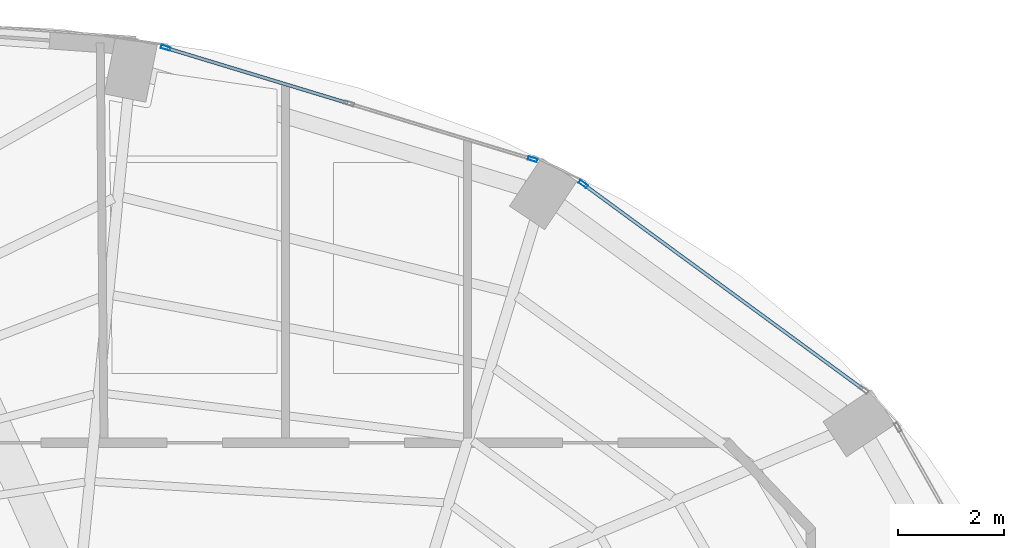
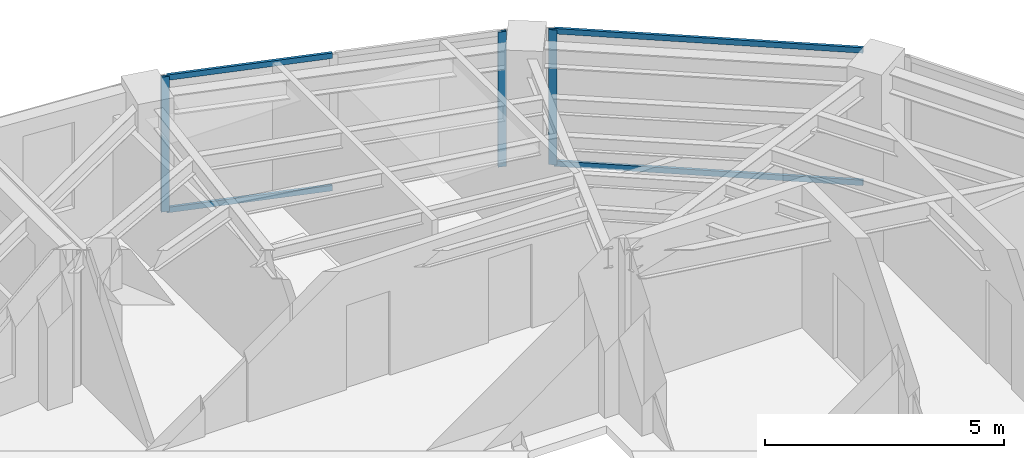
# One storey, part 16 of 22: 7 members, 2 elements without a shape of their own.
"""IFC4 building model written with IfcOpenShell, lengths in metres."""

from ifc_helpers import new_model, si_unit, direction, frame, origin, origin_2d, place, context, subcontext, project, spatial, hollow_rectangle, extrude, material, layer, layer_set, material_profile, profile_set, type_object, element, aggregate, save


model = new_model("IFC4")

# Units and contexts
model_context = context("Model", 3, precision=1e-05, world=origin(), true_north=direction((0.0, 1.0)))
body_context = subcontext(model_context, "Body", "Model", "MODEL_VIEW")
ifc_project = project(units=[si_unit("LENGTHUNIT", "METRE"), si_unit("AREAUNIT", "SQUARE_METRE"), si_unit("VOLUMEUNIT", "CUBIC_METRE"), si_unit("PLANEANGLEUNIT", "RADIAN"), si_unit("MASSUNIT", "GRAM", prefix="KILO")], contexts=[model_context])

# Site, building, storey
site_placement = place(None, origin())
site = spatial("IfcSite", under=ifc_project, at=site_placement, CompositionType="ELEMENT")
building_placement = place(site_placement, origin())
building = spatial("IfcBuilding", under=site, at=building_placement, Name="Lazwardi Medical Tower", CompositionType="ELEMENT")
storey_placement = place(building_placement, frame((0.0, 0.0, 224.01611328125)))
storey = spatial("IfcBuildingStorey", under=building, at=storey_placement, Name="L58", CompositionType="ELEMENT", Elevation=224.01611328125)

# Curtain wall, member
ifc_material_1 = material(Name="Anodised bronze aluminium and solar control glazing", Category="aluminium")
ifc_layer = layer(ifc_material_1, 0.18994140625)
ifc_layer_set = layer_set([ifc_layer], Name="Anodised bronze aluminium and solar control glazing")
curtain_wall_type = type_object("IfcCurtainWallType", Name="CW-SYS-04", PredefinedType="NOTDEFINED", material=ifc_layer_set)
curtain_wall_1_placement = place(storey_placement, origin())
curtain_wall_1 = element("IfcCurtainWall", 1, at=curtain_wall_1_placement, inside=storey, type_object=curtain_wall_type, Name="L58 Unitised bronze curtain wall CW-04", PredefinedType="NOTDEFINED")
ifc_material_2 = material(Name="Anodised bronze aluminium", Category="aluminium")
ifc_material_profile_1 = material_profile(ifc_material_2, hollow_rectangle(XDim=0.06494140625, YDim=0.179931640625, WallThickness=0.00390625, at=origin_2d()), Name="ALU-MULLION 180x65x4")
ifc_profile_set_1 = profile_set([ifc_material_profile_1], Name="Anodised bronze aluminium")
member_type_1 = type_object("IfcMemberType", Name="CW-MUL-03", PredefinedType="MULLION", material=ifc_profile_set_1)
member_1_placement = place(storey_placement, frame((48.75537109375, 43.634765625, 0.0), z_axis=(0.0, 0.0, 1.0), x_axis=(-0.591268230971, -0.806474971121, 0.0)))
member_1 = element("IfcMember", 2, at=member_1_placement, type_object=member_type_1, Name="CW-04 mullion 2", PredefinedType="MULLION", context=body_context, shape_type="SweptSolid", body=[
    extrude(hollow_rectangle(XDim=0.06494140625, YDim=0.179931640625, WallThickness=0.00390625, at=origin_2d()), origin(), (0.0, 0.0, 1.0), 3.447998046875),
])

# Curtain wall, members
curtain_wall_2_placement = place(storey_placement, origin())
curtain_wall_2 = element("IfcCurtainWall", 3, at=curtain_wall_2_placement, inside=storey, type_object=curtain_wall_type, Name="L58 Unitised bronze curtain wall CW-04", PredefinedType="NOTDEFINED")
member_2_placement = place(storey_placement, frame((47.7998046875, 44.103515625, 0.0), z_axis=(0.0, 0.0, 1.0), x_axis=(-0.290581889515, -0.956850126972, 0.0)))
member_2 = element("IfcMember", 4, at=member_2_placement, type_object=member_type_1, Name="CW-04 mullion 1", PredefinedType="MULLION", context=body_context, shape_type="SweptSolid", body=[
    extrude(hollow_rectangle(XDim=0.06494140625, YDim=0.179931640625, WallThickness=0.00390625, at=origin_2d()), origin(), (0.0, 0.0, 1.0), 3.447998046875),
])
member_3_placement = place(storey_placement, frame((40.873046875, 46.20703125, 0.0), z_axis=(0.0, 0.0, 1.0), x_axis=(-0.290581889515, -0.956850126972, 0.0)))
member_3 = element("IfcMember", 5, at=member_3_placement, type_object=member_type_1, Name="CW-04 mullion 3", PredefinedType="MULLION", context=body_context, shape_type="SweptSolid", body=[
    extrude(hollow_rectangle(XDim=0.06494140625, YDim=0.179931640625, WallThickness=0.00390625, at=origin_2d()), origin(), (0.0, 0.0, 1.0), 3.447998046875),
])

# Member
ifc_material_profile_2 = material_profile(ifc_material_2, hollow_rectangle(XDim=0.06494140625, YDim=0.139892578125, WallThickness=0.00341796875, at=origin_2d()), Name="ALU-TRANSOM 140x65x3.5")
ifc_profile_set_2 = profile_set([ifc_material_profile_2], Name="Anodised bronze aluminium")
member_type_2 = type_object("IfcMemberType", Name="CW-TRN-03", PredefinedType="USERDEFINED", material=ifc_profile_set_2)
member_4_placement = place(storey_placement, frame((54.02587890625, 39.770751953125, 0.032470703125), z_axis=(-0.806471831148, 0.591272513791, 0.0), x_axis=(-0.591272513791, -0.806471831148, 0.0)))
member_4 = element("IfcMember", 6, at=member_4_placement, type_object=member_type_2, Name="CW-04 transom 1.1", ObjectType="TRANSOM", PredefinedType="USERDEFINED", context=body_context, shape_type="SweptSolid", body=[
    extrude(hollow_rectangle(XDim=0.06494140625, YDim=0.139892578125, WallThickness=0.00341796875, at=origin_2d()), origin(), (0.0, 0.0, 1.0), 6.5029296875),
])

member_5_placement = place(storey_placement, frame((54.02587890625, 39.770751953125, 3.415283203125), z_axis=(-0.806471831148, 0.591272513791, 0.0), x_axis=(-0.591272513791, -0.806471831148, 0.0)))
member_5 = element("IfcMember", 7, at=member_5_placement, type_object=member_type_2, Name="CW-04 transom 1.2", ObjectType="TRANSOM", PredefinedType="USERDEFINED", context=body_context, shape_type="SweptSolid", body=[
    extrude(hollow_rectangle(XDim=0.06494140625, YDim=0.139892578125, WallThickness=0.00341796875, at=origin_2d()), origin(), (0.0, 0.0, 1.0), 6.5029296875),
])

aggregate(curtain_wall_1, [member_1, member_4, member_5])

member_6_placement = place(storey_placement, frame((44.305419921875, 45.164794921875, 0.032470703125), z_axis=(-0.956862505902, 0.290541124109, 0.0), x_axis=(-0.290541124109, -0.956862505902, 0.0)))
member_6 = element("IfcMember", 8, at=member_6_placement, type_object=member_type_2, Name="CW-04 transom 2.1", ObjectType="TRANSOM", PredefinedType="USERDEFINED", context=body_context, shape_type="SweptSolid", body=[
    extrude(hollow_rectangle(XDim=0.06494140625, YDim=0.139892578125, WallThickness=0.00341796875, at=origin_2d()), origin(), (0.0, 0.0, 1.0), 3.554443359375),
])

member_7_placement = place(storey_placement, frame((44.305419921875, 45.164794921875, 3.415283203125), z_axis=(-0.956862505902, 0.290541124109, 0.0), x_axis=(-0.290541124109, -0.956862505902, 0.0)))
member_7 = element("IfcMember", 9, at=member_7_placement, type_object=member_type_2, Name="CW-04 transom 2.2", ObjectType="TRANSOM", PredefinedType="USERDEFINED", context=body_context, shape_type="SweptSolid", body=[
    extrude(hollow_rectangle(XDim=0.06494140625, YDim=0.139892578125, WallThickness=0.00341796875, at=origin_2d()), origin(), (0.0, 0.0, 1.0), 3.554443359375),
])

aggregate(curtain_wall_2, [member_2, member_3, member_6, member_7])

save(model, "model.ifc")
